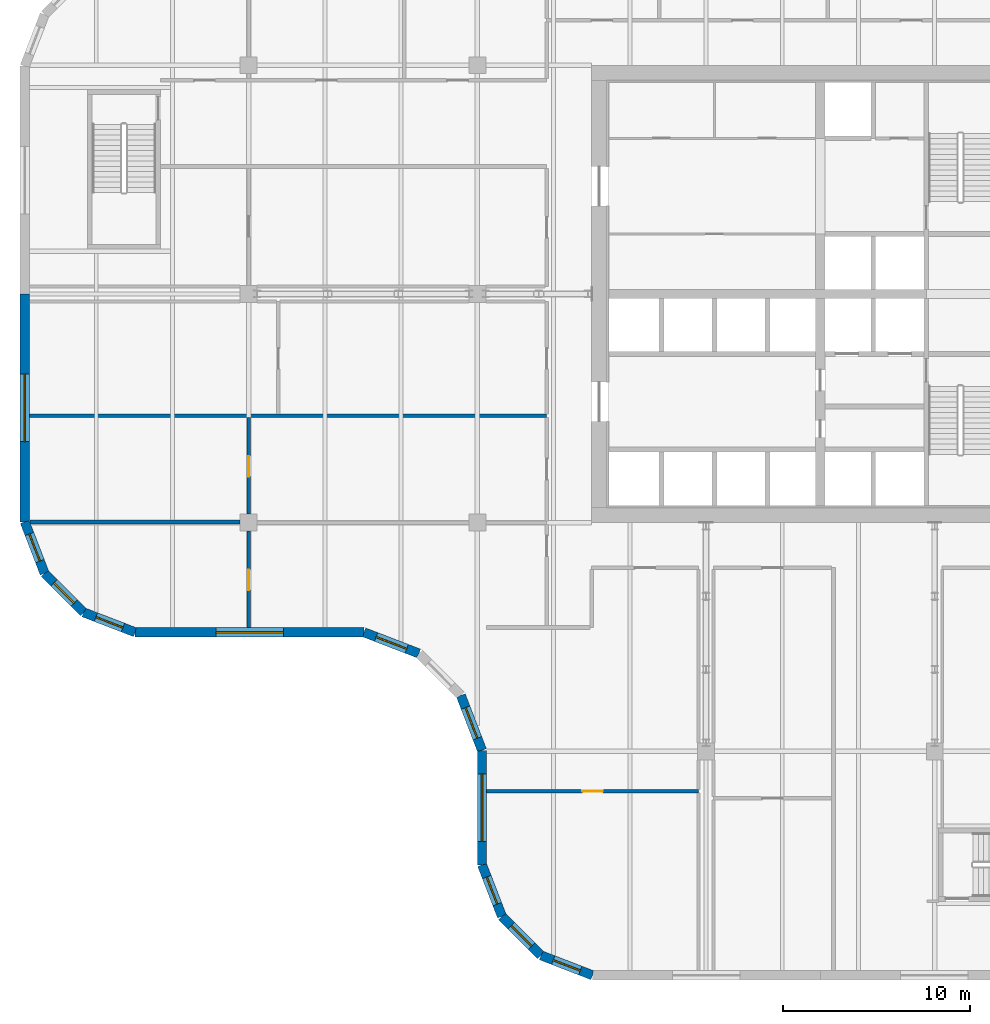
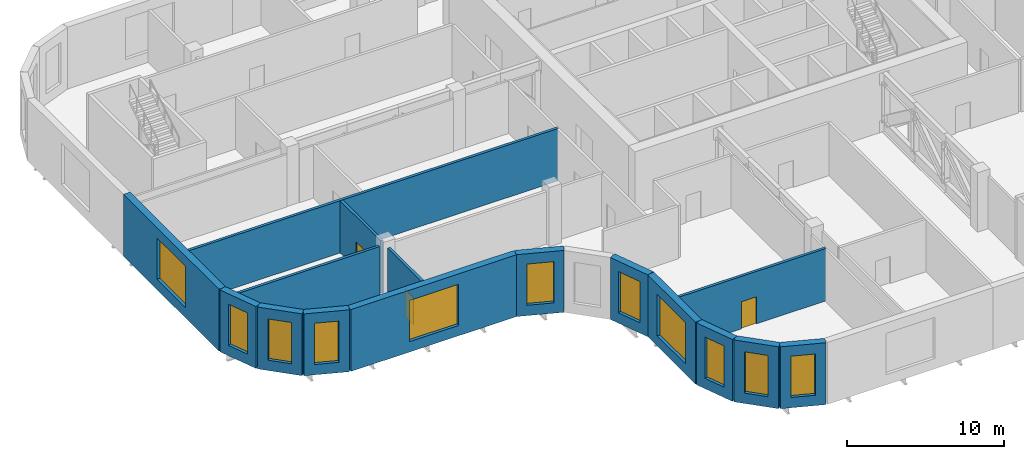
# One storey, part 8 of 21: 16 walls, 11 windows, 3 doors, 14 openings.
"""IFC4 building model written with IfcOpenShell, lengths in metres."""

from ifc_helpers import new_model, si_unit, direction, frame, frame_2d, origin, place, context, subcontext, project, spatial, polyline, rectangle, outline, extrude, faceted_brep, source, transform, mapped, material, layer, layer_set, type_object, element, fill, save


model = new_model("IFC4")

# Units and contexts
model_context = context("Model", 3, precision=1e-05, world=origin(), true_north=direction((0.0, 1.0)))
body_context = subcontext(model_context, "Body", "Model", "MODEL_VIEW")
ifc_project = project(units=[si_unit("LENGTHUNIT", "METRE"), si_unit("AREAUNIT", "SQUARE_METRE"), si_unit("VOLUMEUNIT", "CUBIC_METRE"), si_unit("PLANEANGLEUNIT", "RADIAN"), si_unit("MASSUNIT", "GRAM", prefix="KILO")], contexts=[model_context])

# Site, building, storey
site_placement = place(None, origin())
site = spatial("IfcSite", under=ifc_project, at=site_placement, CompositionType="ELEMENT")
building_placement = place(site_placement, origin())
building = spatial("IfcBuilding", under=site, at=building_placement, Name="Tessera Gate Towers", CompositionType="ELEMENT")
storey_placement = place(building_placement, frame((0.0, 0.0, 63.800048828125)))
storey = spatial("IfcBuildingStorey", under=building, at=storey_placement, Name="L15", CompositionType="ELEMENT", Elevation=63.800048828125)

# Wall, opening, door
ifc_material_1 = material(Name="Concrete masonry unit", Category="masonry")
ifc_layer_1 = layer(ifc_material_1, 0.199951171875)
ifc_layer_set_1 = layer_set([ifc_layer_1], Name="PLANT WALL 200")
wall_type_1 = type_object("IfcWallType", Name="PLANT WALL 200", PredefinedType="PARTITIONING", material=ifc_layer_set_1)
wall_1_placement = place(storey_placement, frame((36.199951171875, 10.074951171875, 0.0), z_axis=(0.0, 0.0, 1.0), x_axis=(-1.0, 0.0, 0.0)))
wall_1 = element("IfcWall", 1, at=wall_1_placement, inside=storey, type_object=wall_type_1, Name="T1-L15-PW-008", PredefinedType="PARTITIONING", context=body_context, shape_type="SweptSolid", body=[
    extrude(rectangle(XDim=11.300048828125, YDim=0.199951171875, at=frame_2d((5.64990234375, 0.0))), origin(), (0.0, 0.0, 1.0), 4.06689453125),
])
shared_shape_1 = source(origin(), body_context, "Body", "SweptSolid", [
    extrude(rectangle(XDim=1.10009765625, YDim=2.10009765625, at=frame_2d((0.550048828125, 1.050048828125))), frame((0.0, 0.10986328125, 0.0), z_axis=(0.0, -1.0, 0.0), x_axis=(1.0, 0.0, 0.0)), (0.0, 0.0, 1.0), 0.219970703125),
])
opening_1_placement = place(wall_1_placement, frame((5.10009765625, 0.0, 0.0)))
opening_1 = element("IfcOpeningElement", 2, at=opening_1_placement, cuts=wall_1, Name="Opening D5110FD90-A30-21", PredefinedType="OPENING", context=body_context, shape_type="MappedRepresentation", body=[
    mapped(shared_shape_1, transform((0.0, 0.0, 0.0), scale=1.0)),
])
ifc_material_2 = material(Name="Timber door leaf in steel frame", Category="steel")
door_type = type_object("IfcDoorType", Name="PLANT DOOR 1100 FD90", OperationType="NOTDEFINED", PredefinedType="DOOR", material=ifc_material_2)
shared_shape_2 = source(origin(), body_context, "Body", "SweptSolid", [
    extrude(rectangle(XDim=1.10009765625, YDim=2.10009765625, at=frame_2d((0.550048828125, 1.050048828125))), frame((0.0, 0.02490234375, 0.0), z_axis=(0.0, -1.0, 0.0), x_axis=(1.0, 0.0, 0.0)), (0.0, 0.0, 1.0), 0.050048828125),
])
door_1_placement = place(opening_1_placement, origin())
door_1 = element("IfcDoor", 3, at=door_1_placement, inside=storey, type_object=door_type, Name="T1-L15-PD-021", OperationType="SINGLE_SWING_RIGHT", OverallHeight=2.10009765625, OverallWidth=1.10009765625, PredefinedType="DOOR", context=body_context, shape_type="MappedRepresentation", body=[
    mapped(shared_shape_2, transform((0.0, 0.0, 0.0), scale=1.0)),
])
fill(opening_1, door_1)

wall_2_placement = place(storey_placement, frame((12.199951171875, 18.800048828125, 0.0), z_axis=(0.0, 0.0, 1.0), x_axis=(0.0, 1.0, 0.0)))
wall_2 = element("IfcWall", 4, at=wall_2_placement, inside=storey, type_object=wall_type_1, Name="T1-L15-PW-013", PredefinedType="PARTITIONING", context=body_context, shape_type="SweptSolid", body=[
    extrude(rectangle(XDim=5.14892578125, YDim=0.199951171875, at=frame_2d((2.574462890625, 0.0))), origin(), (0.0, 0.0, 1.0), 4.06689453125),
])
opening_2_placement = place(wall_2_placement, frame((2.0, 0.0, 0.0)))
opening_2 = element("IfcOpeningElement", 5, at=opening_2_placement, cuts=wall_2, Name="Opening D5110FD90-A30-04", PredefinedType="OPENING", context=body_context, shape_type="MappedRepresentation", body=[
    mapped(shared_shape_1, transform((0.0, 0.0, 0.0), scale=1.0)),
])
door_2_placement = place(opening_2_placement, origin())
door_2 = element("IfcDoor", 6, at=door_2_placement, inside=storey, type_object=door_type, Name="T1-L15-PD-004", OperationType="SINGLE_SWING_LEFT", OverallHeight=2.10009765625, OverallWidth=1.10009765625, PredefinedType="DOOR", context=body_context, shape_type="MappedRepresentation", body=[
    mapped(shared_shape_2, transform((0.0, 0.0, 0.0), scale=1.0)),
])
fill(opening_2, door_2)

# Wall
wall_3_placement = place(storey_placement, frame((0.535888671875, 24.43994140625, 0.0), z_axis=(0.0, 0.0, 1.0), x_axis=(1.0, 0.0, 0.0)))
element("IfcWall", 7, at=wall_3_placement, inside=storey, type_object=wall_type_1, Name="T1-L15-PW-022", PredefinedType="PARTITIONING", context=body_context, shape_type="SweptSolid", body=[
    extrude(rectangle(XDim=11.213134765625, YDim=0.199951171875, at=frame_2d((5.6064453125, 0.0))), origin(), (0.0, 0.0, 1.0), 4.06689453125),
])

# Wall, opening, door
wall_4_placement = place(storey_placement, frame((12.199951171875, 24.85107421875, 0.0), z_axis=(0.0, 0.0, 1.0), x_axis=(0.0, 1.0, 0.0)))
wall_4 = element("IfcWall", 8, at=wall_4_placement, inside=storey, type_object=wall_type_1, Name="T1-L15-PW-026", PredefinedType="PARTITIONING", context=body_context, shape_type="SweptSolid", body=[
    extrude(rectangle(XDim=5.14794921875, YDim=0.199951171875, at=frame_2d((2.573974609375, 0.0))), origin(), (0.0, 0.0, 1.0), 4.06689453125),
])
opening_3_placement = place(wall_4_placement, frame((2.0, 0.0, 0.0)))
opening_3 = element("IfcOpeningElement", 9, at=opening_3_placement, cuts=wall_4, Name="Opening D5110FD90-A30-03", PredefinedType="OPENING", context=body_context, shape_type="MappedRepresentation", body=[
    mapped(shared_shape_1, transform((0.0, 0.0, 0.0), scale=1.0)),
])
door_3_placement = place(opening_3_placement, origin())
door_3 = element("IfcDoor", 10, at=door_3_placement, inside=storey, type_object=door_type, Name="T1-L15-PD-003", OperationType="SINGLE_SWING_LEFT", OverallHeight=2.10009765625, OverallWidth=1.10009765625, PredefinedType="DOOR", context=body_context, shape_type="MappedRepresentation", body=[
    mapped(shared_shape_2, transform((0.0, 0.0, 0.0), scale=1.0)),
])
fill(opening_3, door_3)

# Wall
wall_5_placement = place(storey_placement, frame((0.5, 30.10009765625, 0.0), z_axis=(0.0, 0.0, 1.0), x_axis=(1.0, 0.0, 0.0)))
element("IfcWall", 11, at=wall_5_placement, inside=storey, type_object=wall_type_1, Name="T1-L15-PW-027", PredefinedType="PARTITIONING", context=body_context, shape_type="SweptSolid", body=[
    extrude(rectangle(XDim=27.60009765625, YDim=0.199951171875, at=frame_2d((13.800048828125, 0.0))), origin(), (0.0, 0.0, 1.0), 4.06689453125),
])

# Wall, opening, window
ifc_material_3 = material(Name="Precast concrete C60/75 white", Category="concrete")
ifc_layer_2 = layer(ifc_material_3, 0.5)
ifc_layer_set_2 = layer_set([ifc_layer_2], Name="RB1 ring band panel")
wall_type_2 = type_object("IfcWallType", Name="RB1 ring band panel", PredefinedType="SOLIDWALL", material=ifc_layer_set_2)
shared_shape_3 = source(origin(), body_context, "Body", "Brep", [
    faceted_brep([(0.0, -0.25, 0.0), (12.153564453125, -0.25, 0.0), (12.153564453125, -0.25, 4.800048828125), (0.0, -0.25, 4.800048828125), (0.0, 0.25, 4.800048828125), (12.10693359375, 0.25, 4.800048828125), (12.10693359375, 0.25, 0.0), (0.0, 0.25, 0.0), (12.153564453125, -0.00048828125, 0.0), (12.153564453125, -0.00048828125, 4.800048828125)], [[[0, 1, 2, 3]], [[4, 5, 6, 7]], [[7, 6, 8, 1, 0]], [[9, 2, 1, 8]], [[5, 4, 3, 2, 9]], [[4, 7, 0, 3]], [[8, 6, 5, 9]]]),
])
wall_6_placement = place(storey_placement, frame((0.25, 36.60009765625, 0.0), z_axis=(0.0, 0.0, 1.0), x_axis=(0.0, -1.0, 0.0)))
wall_6 = element("IfcWall", 12, at=wall_6_placement, inside=storey, type_object=wall_type_2, Name="Ring band panel T1 RB1-0021", PredefinedType="SOLIDWALL", context=body_context, shape_type="MappedRepresentation", body=[
    mapped(shared_shape_3, transform((0.0, 0.0, 0.0), scale=1.0)),
])
shared_shape_4 = source(origin(), body_context, "Body", "SweptSolid", [
    extrude(outline(polyline([(4.276611328125, 0.800048828125), (7.876708984375, 0.800048828125), (7.876708984375, 4.0), (4.276611328125, 4.0), (4.276611328125, 0.800048828125)])), frame((0.0, 0.260009765625, 0.0), z_axis=(0.0, -1.0, 0.0), x_axis=(1.0, 0.0, 0.0)), (0.0, 0.0, 1.0), 0.52001953125),
])
opening_4_placement = place(wall_6_placement, origin())
opening_4 = element("IfcOpeningElement", 13, at=opening_4_placement, cuts=wall_6, Name="Opening T1-WN-LV1-0021", PredefinedType="OPENING", context=body_context, shape_type="MappedRepresentation", body=[
    mapped(shared_shape_4, transform((0.0, 0.0, 0.0), scale=1.0)),
])
ifc_material_4 = material(Name="Aluminium louvre", Category="aluminium")
ifc_layer_3 = layer(ifc_material_4, 0.06005859375)
ifc_layer_set_3 = layer_set([ifc_layer_3], Name="LV1 louvre")
window_type = type_object("IfcWindowType", Name="LV1 louvre", PartitioningType="USERDEFINED", PredefinedType="WINDOW", material=ifc_layer_set_3)
shared_shape_5 = source(origin(), body_context, "Body", "SweptSolid", [
    extrude(outline(polyline([(4.276611328125, 0.800048828125), (7.876708984375, 0.800048828125), (7.876708984375, 4.0), (4.276611328125, 4.0), (4.276611328125, 0.800048828125)])), frame((0.0, 0.030029296875, 0.0), z_axis=(0.0, -1.0, 0.0), x_axis=(1.0, 0.0, 0.0)), (0.0, 0.0, 1.0), 0.06005859375),
])
window_1_placement = place(opening_4_placement, origin())
window_1 = element("IfcWindow", 14, at=window_1_placement, inside=storey, type_object=window_type, Name="Louvre T1 WN-LV1-0021", OverallHeight=3.199951171875, OverallWidth=3.60009765625, PartitioningType="USERDEFINED", PredefinedType="WINDOW", context=body_context, shape_type="MappedRepresentation", body=[
    mapped(shared_shape_5, transform((0.0, 0.0, 0.0), scale=1.0)),
])
fill(opening_4, window_1)

shared_shape_6 = source(origin(), body_context, "Body", "Brep", [
    faceted_brep([(0.0, -0.25, 0.0), (2.950439453125, -0.25, 0.0), (2.950439453125, -0.25, 4.800048828125), (0.0, -0.25, 4.800048828125), (0.046630859375, 0.25, 4.800048828125), (2.897705078125, 0.25, 4.800048828125), (2.897705078125, 0.25, 0.0), (0.046630859375, 0.25, 0.0), (2.950439453125, 0.00048828125, 0.0), (0.0, 0.0, 0.0), (2.950439453125, 0.00048828125, 4.800048828125), (0.0, 0.0, 4.800048828125)], [[[0, 1, 2, 3]], [[4, 5, 6, 7]], [[7, 6, 8, 1, 0, 9]], [[10, 2, 1, 8]], [[5, 4, 11, 3, 2, 10]], [[9, 0, 3, 11]], [[7, 9, 11, 4]], [[8, 6, 5, 10]]]),
])
wall_7_placement = place(storey_placement, frame((0.25, 24.446533203125, 0.0), z_axis=(0.0, 0.0, 1.0), x_axis=(0.359877213415, -0.932999673775, 0.0)))
wall_7 = element("IfcWall", 15, at=wall_7_placement, inside=storey, type_object=wall_type_2, Name="Ring band panel T1 RB1-0022", PredefinedType="SOLIDWALL", context=body_context, shape_type="MappedRepresentation", body=[
    mapped(shared_shape_6, transform((0.0, 0.0, 0.0), scale=1.0)),
])
shared_shape_7 = source(origin(), body_context, "Body", "SweptSolid", [
    extrude(outline(polyline([(0.699951171875, 0.800048828125), (2.25048828125, 0.800048828125), (2.25048828125, 4.0), (0.699951171875, 4.0), (0.699951171875, 0.800048828125)])), frame((0.0, 0.260009765625, 0.0), z_axis=(0.0, -1.0, 0.0), x_axis=(1.0, 0.0, 0.0)), (0.0, 0.0, 1.0), 0.52001953125),
])
opening_5_placement = place(wall_7_placement, origin())
opening_5 = element("IfcOpeningElement", 16, at=opening_5_placement, cuts=wall_7, Name="Opening T1-WN-LV1-0022", PredefinedType="OPENING", context=body_context, shape_type="MappedRepresentation", body=[
    mapped(shared_shape_7, transform((0.0, 0.0, 0.0), scale=1.0)),
])
shared_shape_8 = source(origin(), body_context, "Body", "SweptSolid", [
    extrude(outline(polyline([(0.699951171875, 0.800048828125), (2.25048828125, 0.800048828125), (2.25048828125, 4.0), (0.699951171875, 4.0), (0.699951171875, 0.800048828125)])), frame((0.0, 0.030029296875, 0.0), z_axis=(0.0, -1.0, 0.0), x_axis=(1.0, 0.0, 0.0)), (0.0, 0.0, 1.0), 0.06005859375),
])
window_2_placement = place(opening_5_placement, origin())
window_2 = element("IfcWindow", 17, at=window_2_placement, inside=storey, type_object=window_type, Name="Louvre T1 WN-LV1-0022", OverallHeight=3.199951171875, OverallWidth=1.550537109375, PartitioningType="USERDEFINED", PredefinedType="WINDOW", context=body_context, shape_type="MappedRepresentation", body=[
    mapped(shared_shape_8, transform((0.0, 0.0, 0.0), scale=1.0)),
])
fill(opening_5, window_2)

wall_8_placement = place(storey_placement, frame((24.64990234375, 6.146484375, 0.0), z_axis=(0.0, 0.0, 1.0), x_axis=(0.359949242603, -0.932971887438, 0.0)))
wall_8 = element("IfcWall", 18, at=wall_8_placement, inside=storey, type_object=wall_type_2, Name="Ring band panel T1 RB1-0030", PredefinedType="SOLIDWALL", context=body_context, shape_type="MappedRepresentation", body=[
    mapped(shared_shape_6, transform((0.0, 0.0, 0.0), scale=1.0)),
])
opening_6_placement = place(wall_8_placement, origin())
opening_6 = element("IfcOpeningElement", 19, at=opening_6_placement, cuts=wall_8, Name="Opening T1-WN-LV1-0030", PredefinedType="OPENING", context=body_context, shape_type="MappedRepresentation", body=[
    mapped(shared_shape_7, transform((0.0, 0.0, 0.0), scale=1.0)),
])
window_3_placement = place(opening_6_placement, origin())
window_3 = element("IfcWindow", 20, at=window_3_placement, inside=storey, type_object=window_type, Name="Louvre T1 WN-LV1-0030", OverallHeight=3.199951171875, OverallWidth=1.550537109375, PartitioningType="USERDEFINED", PredefinedType="WINDOW", context=body_context, shape_type="MappedRepresentation", body=[
    mapped(shared_shape_8, transform((0.0, 0.0, 0.0), scale=1.0)),
])
fill(opening_6, window_3)

shared_shape_9 = source(origin(), body_context, "Body", "Brep", [
    faceted_brep([(0.0, -0.25, 0.0), (2.944091796875, -0.25, 0.0), (2.944091796875, -0.25, 4.800048828125), (0.0, -0.25, 4.800048828125), (0.052978515625, 0.25, 4.800048828125), (2.89111328125, 0.25, 4.800048828125), (2.89111328125, 0.25, 0.0), (0.052978515625, 0.25, 0.0), (2.944091796875, 0.000244140625, 0.0), (0.0, 0.0, 0.0), (2.944091796875, 0.000244140625, 4.800048828125), (0.0, 0.0, 4.800048828125)], [[[0, 1, 2, 3]], [[4, 5, 6, 7]], [[7, 6, 8, 1, 0, 9]], [[10, 2, 1, 8]], [[5, 4, 11, 3, 2, 10]], [[9, 0, 3, 11]], [[7, 9, 11, 4]], [[8, 6, 5, 10]]]),
])
wall_9_placement = place(storey_placement, frame((1.31201171875, 21.69384765625, 0.0), z_axis=(0.0, 0.0, 1.0), x_axis=(0.707106781187, -0.707106781187, 0.0)))
wall_9 = element("IfcWall", 21, at=wall_9_placement, inside=storey, type_object=wall_type_2, Name="Ring band panel T1 RB1-0023", PredefinedType="SOLIDWALL", context=body_context, shape_type="MappedRepresentation", body=[
    mapped(shared_shape_9, transform((0.0, 0.0, 0.0), scale=1.0)),
])
shared_shape_10 = source(origin(), body_context, "Body", "SweptSolid", [
    extrude(outline(polyline([(0.699951171875, 0.800048828125), (2.244140625, 0.800048828125), (2.244140625, 4.0), (0.699951171875, 4.0), (0.699951171875, 0.800048828125)])), frame((0.0, 0.260009765625, 0.0), z_axis=(0.0, -1.0, 0.0), x_axis=(1.0, 0.0, 0.0)), (0.0, 0.0, 1.0), 0.52001953125),
])
opening_7_placement = place(wall_9_placement, origin())
opening_7 = element("IfcOpeningElement", 22, at=opening_7_placement, cuts=wall_9, Name="Opening T1-WN-LV1-0023", PredefinedType="OPENING", context=body_context, shape_type="MappedRepresentation", body=[
    mapped(shared_shape_10, transform((0.0, 0.0, 0.0), scale=1.0)),
])
shared_shape_11 = source(origin(), body_context, "Body", "SweptSolid", [
    extrude(outline(polyline([(0.699951171875, 0.800048828125), (2.244140625, 0.800048828125), (2.244140625, 4.0), (0.699951171875, 4.0), (0.699951171875, 0.800048828125)])), frame((0.0, 0.030029296875, 0.0), z_axis=(0.0, -1.0, 0.0), x_axis=(1.0, 0.0, 0.0)), (0.0, 0.0, 1.0), 0.06005859375),
])
window_4_placement = place(opening_7_placement, origin())
window_4 = element("IfcWindow", 23, at=window_4_placement, inside=storey, type_object=window_type, Name="Louvre T1 WN-LV1-0023", OverallHeight=3.199951171875, OverallWidth=1.544189453125, PartitioningType="USERDEFINED", PredefinedType="WINDOW", context=body_context, shape_type="MappedRepresentation", body=[
    mapped(shared_shape_11, transform((0.0, 0.0, 0.0), scale=1.0)),
])
fill(opening_7, window_4)

wall_10_placement = place(storey_placement, frame((25.7119140625, 3.393798828125, 0.0), z_axis=(0.0, 0.0, 1.0), x_axis=(0.707106781187, -0.707106781187, 0.0)))
wall_10 = element("IfcWall", 24, at=wall_10_placement, inside=storey, type_object=wall_type_2, Name="Ring band panel T1 RB1-0031", PredefinedType="SOLIDWALL", context=body_context, shape_type="MappedRepresentation", body=[
    mapped(shared_shape_9, transform((0.0, 0.0, 0.0), scale=1.0)),
])
opening_8_placement = place(wall_10_placement, origin())
opening_8 = element("IfcOpeningElement", 25, at=opening_8_placement, cuts=wall_10, Name="Opening T1-WN-LV1-0031", PredefinedType="OPENING", context=body_context, shape_type="MappedRepresentation", body=[
    mapped(shared_shape_10, transform((0.0, 0.0, 0.0), scale=1.0)),
])
window_5_placement = place(opening_8_placement, origin())
window_5 = element("IfcWindow", 26, at=window_5_placement, inside=storey, type_object=window_type, Name="Louvre T1 WN-LV1-0031", OverallHeight=3.199951171875, OverallWidth=1.544189453125, PartitioningType="USERDEFINED", PredefinedType="WINDOW", context=body_context, shape_type="MappedRepresentation", body=[
    mapped(shared_shape_11, transform((0.0, 0.0, 0.0), scale=1.0)),
])
fill(opening_8, window_5)

shared_shape_12 = source(origin(), body_context, "Body", "Brep", [
    faceted_brep([(0.0, -0.25, 0.0), (2.950439453125, -0.25, 0.0), (2.950439453125, -0.25, 4.800048828125), (0.0, -0.25, 4.800048828125), (0.052978515625, 0.25, 4.800048828125), (2.904052734375, 0.25, 4.800048828125), (2.904052734375, 0.25, 0.0), (0.052978515625, 0.25, 0.0), (2.950439453125, 0.00048828125, 0.0), (0.0, 0.0, 0.0), (2.950439453125, 0.00048828125, 4.800048828125), (0.0, 0.0, 4.800048828125)], [[[0, 1, 2, 3]], [[4, 5, 6, 7]], [[7, 6, 8, 1, 0, 9]], [[10, 2, 1, 8]], [[5, 4, 11, 3, 2, 10]], [[9, 0, 3, 11]], [[7, 9, 11, 4]], [[8, 6, 5, 10]]]),
])
wall_11_placement = place(storey_placement, frame((3.393798828125, 19.61181640625, 0.0), z_axis=(0.0, 0.0, 1.0), x_axis=(0.932999673775, -0.359877213415, 0.0)))
wall_11 = element("IfcWall", 27, at=wall_11_placement, inside=storey, type_object=wall_type_2, Name="Ring band panel T1 RB1-0024", PredefinedType="SOLIDWALL", context=body_context, shape_type="MappedRepresentation", body=[
    mapped(shared_shape_12, transform((0.0, 0.0, 0.0), scale=1.0)),
])
opening_9_placement = place(wall_11_placement, origin())
opening_9 = element("IfcOpeningElement", 28, at=opening_9_placement, cuts=wall_11, Name="Opening T1-WN-LV1-0024", PredefinedType="OPENING", context=body_context, shape_type="MappedRepresentation", body=[
    mapped(shared_shape_7, transform((0.0, 0.0, 0.0), scale=1.0)),
])
window_6_placement = place(opening_9_placement, origin())
window_6 = element("IfcWindow", 29, at=window_6_placement, inside=storey, type_object=window_type, Name="Louvre T1 WN-LV1-0024", OverallHeight=3.199951171875, OverallWidth=1.550537109375, PartitioningType="USERDEFINED", PredefinedType="WINDOW", context=body_context, shape_type="MappedRepresentation", body=[
    mapped(shared_shape_8, transform((0.0, 0.0, 0.0), scale=1.0)),
])
fill(opening_9, window_6)

wall_12_placement = place(storey_placement, frame((27.793701171875, 1.31201171875, 0.0), z_axis=(0.0, 0.0, 1.0), x_axis=(0.932971887438, -0.359949242603, 0.0)))
wall_12 = element("IfcWall", 30, at=wall_12_placement, inside=storey, type_object=wall_type_2, Name="Ring band panel T1 RB1-0032", PredefinedType="SOLIDWALL", context=body_context, shape_type="MappedRepresentation", body=[
    mapped(shared_shape_12, transform((0.0, 0.0, 0.0), scale=1.0)),
])
opening_10_placement = place(wall_12_placement, origin())
opening_10 = element("IfcOpeningElement", 31, at=opening_10_placement, cuts=wall_12, Name="Opening T1-WN-LV1-0032", PredefinedType="OPENING", context=body_context, shape_type="MappedRepresentation", body=[
    mapped(shared_shape_7, transform((0.0, 0.0, 0.0), scale=1.0)),
])
window_7_placement = place(opening_10_placement, origin())
window_7 = element("IfcWindow", 32, at=window_7_placement, inside=storey, type_object=window_type, Name="Louvre T1 WN-LV1-0032", OverallHeight=3.199951171875, OverallWidth=1.550537109375, PartitioningType="USERDEFINED", PredefinedType="WINDOW", context=body_context, shape_type="MappedRepresentation", body=[
    mapped(shared_shape_8, transform((0.0, 0.0, 0.0), scale=1.0)),
])
fill(opening_10, window_7)

shared_shape_13 = source(origin(), body_context, "Body", "Brep", [
    faceted_brep([(0.0, -0.25, 0.0), (12.153564453125, -0.25, 0.0), (12.153564453125, -0.25, 4.800048828125), (0.0, -0.25, 4.800048828125), (0.046630859375, 0.25, 4.800048828125), (12.199951171875, 0.25, 4.800048828125), (12.199951171875, 0.25, 0.0), (0.046630859375, 0.25, 0.0), (12.199951171875, -0.000244140625, 0.0), (0.0, 0.0, 0.0), (12.199951171875, -0.000244140625, 4.800048828125), (0.0, 0.0, 4.800048828125)], [[[0, 1, 2, 3]], [[4, 5, 6, 7]], [[7, 6, 8, 1, 0, 9]], [[6, 5, 10, 8]], [[5, 4, 11, 3, 2, 10]], [[9, 0, 3, 11]], [[7, 9, 11, 4]], [[1, 8, 10, 2]]]),
])
wall_13_placement = place(storey_placement, frame((6.146484375, 18.550048828125, 0.0), z_axis=(0.0, 0.0, 1.0), x_axis=(1.0, 0.0, 0.0)))
wall_13 = element("IfcWall", 33, at=wall_13_placement, inside=storey, type_object=wall_type_2, Name="Ring band panel T1 RB1-0025", PredefinedType="SOLIDWALL", context=body_context, shape_type="MappedRepresentation", body=[
    mapped(shared_shape_13, transform((0.0, 0.0, 0.0), scale=1.0)),
])
shared_shape_14 = source(origin(), body_context, "Body", "SweptSolid", [
    extrude(outline(polyline([(4.300048828125, 0.800048828125), (7.89990234375, 0.800048828125), (7.89990234375, 4.0), (4.300048828125, 4.0), (4.300048828125, 0.800048828125)])), frame((0.0, 0.260009765625, 0.0), z_axis=(0.0, -1.0, 0.0), x_axis=(1.0, 0.0, 0.0)), (0.0, 0.0, 1.0), 0.52001953125),
])
opening_11_placement = place(wall_13_placement, origin())
opening_11 = element("IfcOpeningElement", 34, at=opening_11_placement, cuts=wall_13, Name="Opening T1-WN-LV1-0025", PredefinedType="OPENING", context=body_context, shape_type="MappedRepresentation", body=[
    mapped(shared_shape_14, transform((0.0, 0.0, 0.0), scale=1.0)),
])
shared_shape_15 = source(origin(), body_context, "Body", "SweptSolid", [
    extrude(outline(polyline([(4.300048828125, 0.800048828125), (7.89990234375, 0.800048828125), (7.89990234375, 4.0), (4.300048828125, 4.0), (4.300048828125, 0.800048828125)])), frame((0.0, 0.030029296875, 0.0), z_axis=(0.0, -1.0, 0.0), x_axis=(1.0, 0.0, 0.0)), (0.0, 0.0, 1.0), 0.06005859375),
])
window_8_placement = place(opening_11_placement, origin())
window_8 = element("IfcWindow", 35, at=window_8_placement, inside=storey, type_object=window_type, Name="Louvre T1 WN-LV1-0025", OverallHeight=3.199951171875, OverallWidth=3.599853515625, PartitioningType="USERDEFINED", PredefinedType="WINDOW", context=body_context, shape_type="MappedRepresentation", body=[
    mapped(shared_shape_15, transform((0.0, 0.0, 0.0), scale=1.0)),
])
fill(opening_11, window_8)

shared_shape_16 = source(origin(), body_context, "Body", "Brep", [
    faceted_brep([(0.046630859375, -0.25, 0.0), (3.096435546875, -0.25, 0.0), (3.096435546875, -0.25, 4.800048828125), (0.046630859375, -0.25, 4.800048828125), (0.0, 0.25, 4.800048828125), (3.1494140625, 0.25, 4.800048828125), (3.1494140625, 0.25, 0.0), (0.0, 0.25, 0.0), (3.1494140625, -0.000244140625, 0.0), (0.0, 0.0, 0.0), (3.1494140625, -0.000244140625, 4.800048828125), (0.0, 0.0, 4.800048828125)], [[[0, 1, 2, 3]], [[4, 5, 6, 7]], [[7, 6, 8, 1, 0, 9]], [[6, 5, 10, 8]], [[5, 4, 11, 3, 2, 10]], [[4, 7, 9, 11]], [[9, 0, 3, 11]], [[1, 8, 10, 2]]]),
])
wall_14_placement = place(storey_placement, frame((18.346435546875, 18.550048828125, 0.0), z_axis=(0.0, 0.0, 1.0), x_axis=(0.932987528699, -0.35990869855, 0.0)))
wall_14 = element("IfcWall", 36, at=wall_14_placement, inside=storey, type_object=wall_type_2, Name="Ring band panel T1 RB1-0026", PredefinedType="SOLIDWALL", context=body_context, shape_type="MappedRepresentation", body=[
    mapped(shared_shape_16, transform((0.0, 0.0, 0.0), scale=1.0)),
])
shared_shape_17 = source(origin(), body_context, "Body", "SweptSolid", [
    extrude(outline(polyline([(0.699951171875, 0.800048828125), (2.449462890625, 0.800048828125), (2.449462890625, 4.0), (0.699951171875, 4.0), (0.699951171875, 0.800048828125)])), frame((0.0, 0.260009765625, 0.0), z_axis=(0.0, -1.0, 0.0), x_axis=(1.0, 0.0, 0.0)), (0.0, 0.0, 1.0), 0.52001953125),
])
opening_12_placement = place(wall_14_placement, origin())
opening_12 = element("IfcOpeningElement", 37, at=opening_12_placement, cuts=wall_14, Name="Opening T1-WN-LV1-0026", PredefinedType="OPENING", context=body_context, shape_type="MappedRepresentation", body=[
    mapped(shared_shape_17, transform((0.0, 0.0, 0.0), scale=1.0)),
])
shared_shape_18 = source(origin(), body_context, "Body", "SweptSolid", [
    extrude(outline(polyline([(0.699951171875, 0.800048828125), (2.449462890625, 0.800048828125), (2.449462890625, 4.0), (0.699951171875, 4.0), (0.699951171875, 0.800048828125)])), frame((0.0, 0.030029296875, 0.0), z_axis=(0.0, -1.0, 0.0), x_axis=(1.0, 0.0, 0.0)), (0.0, 0.0, 1.0), 0.06005859375),
])
window_9_placement = place(opening_12_placement, origin())
window_9 = element("IfcWindow", 38, at=window_9_placement, inside=storey, type_object=window_type, Name="Louvre T1 WN-LV1-0026", OverallHeight=3.199951171875, OverallWidth=1.74951171875, PartitioningType="USERDEFINED", PredefinedType="WINDOW", context=body_context, shape_type="MappedRepresentation", body=[
    mapped(shared_shape_18, transform((0.0, 0.0, 0.0), scale=1.0)),
])
fill(opening_12, window_9)

shared_shape_19 = source(origin(), body_context, "Body", "Brep", [
    faceted_brep([(0.052978515625, -0.25, 0.0), (3.10302734375, -0.25, 0.0), (3.10302734375, -0.25, 4.800048828125), (0.052978515625, -0.25, 4.800048828125), (0.0, 0.25, 4.800048828125), (3.1494140625, 0.25, 4.800048828125), (3.1494140625, 0.25, 0.0), (0.0, 0.25, 0.0), (3.1494140625, -0.000244140625, 0.0), (0.0, 0.0, 0.0), (3.1494140625, -0.000244140625, 4.800048828125), (0.0, 0.0, 4.800048828125)], [[[0, 1, 2, 3]], [[4, 5, 6, 7]], [[7, 6, 8, 1, 0, 9]], [[6, 5, 10, 8]], [[5, 4, 11, 3, 2, 10]], [[4, 7, 9, 11]], [[9, 0, 3, 11]], [[1, 8, 10, 2]]]),
])
wall_15_placement = place(storey_placement, frame((23.5166015625, 15.18505859375, 0.0), z_axis=(0.0, 0.0, 1.0), x_axis=(0.359841220347, -0.933013556246, 0.0)))
wall_15 = element("IfcWall", 39, at=wall_15_placement, inside=storey, type_object=wall_type_2, Name="Ring band panel T1 RB1-0028", PredefinedType="SOLIDWALL", context=body_context, shape_type="MappedRepresentation", body=[
    mapped(shared_shape_19, transform((0.0, 0.0, 0.0), scale=1.0)),
])
opening_13_placement = place(wall_15_placement, origin())
opening_13 = element("IfcOpeningElement", 40, at=opening_13_placement, cuts=wall_15, Name="Opening T1-WN-LV1-0028", PredefinedType="OPENING", context=body_context, shape_type="MappedRepresentation", body=[
    mapped(shared_shape_17, transform((0.0, 0.0, 0.0), scale=1.0)),
])
window_10_placement = place(opening_13_placement, origin())
window_10 = element("IfcWindow", 41, at=window_10_placement, inside=storey, type_object=window_type, Name="Louvre T1 WN-LV1-0028", OverallHeight=3.199951171875, OverallWidth=1.74951171875, PartitioningType="USERDEFINED", PredefinedType="WINDOW", context=body_context, shape_type="MappedRepresentation", body=[
    mapped(shared_shape_18, transform((0.0, 0.0, 0.0), scale=1.0)),
])
fill(opening_13, window_10)

shared_shape_20 = source(origin(), body_context, "Body", "Brep", [
    faceted_brep([(0.046630859375, -0.25, 0.0), (6.10009765625, -0.25, 0.0), (6.10009765625, -0.25, 4.800048828125), (0.046630859375, -0.25, 4.800048828125), (0.0, 0.25, 4.800048828125), (6.053466796875, 0.25, 4.800048828125), (6.053466796875, 0.25, 0.0), (0.0, 0.25, 0.0), (6.10009765625, -0.00048828125, 0.0), (0.0, 0.0, 0.0), (6.10009765625, -0.00048828125, 4.800048828125), (0.0, 0.0, 4.800048828125)], [[[0, 1, 2, 3]], [[4, 5, 6, 7]], [[7, 6, 8, 1, 0, 9]], [[10, 2, 1, 8]], [[5, 4, 11, 3, 2, 10]], [[4, 7, 9, 11]], [[9, 0, 3, 11]], [[8, 6, 5, 10]]]),
])
wall_16_placement = place(storey_placement, frame((24.64990234375, 12.24658203125, 0.0), z_axis=(0.0, 0.0, 1.0), x_axis=(0.0, -1.0, 0.0)))
wall_16 = element("IfcWall", 42, at=wall_16_placement, inside=storey, type_object=wall_type_2, Name="Ring band panel T1 RB1-0029", PredefinedType="SOLIDWALL", context=body_context, shape_type="MappedRepresentation", body=[
    mapped(shared_shape_20, transform((0.0, 0.0, 0.0), scale=1.0)),
])
shared_shape_21 = source(origin(), body_context, "Body", "SweptSolid", [
    extrude(outline(polyline([(1.25, 0.800048828125), (4.85009765625, 0.800048828125), (4.85009765625, 4.0), (1.25, 4.0), (1.25, 0.800048828125)])), frame((0.0, 0.260009765625, 0.0), z_axis=(0.0, -1.0, 0.0), x_axis=(1.0, 0.0, 0.0)), (0.0, 0.0, 1.0), 0.52001953125),
])
opening_14_placement = place(wall_16_placement, origin())
opening_14 = element("IfcOpeningElement", 43, at=opening_14_placement, cuts=wall_16, Name="Opening T1-WN-LV1-0029", PredefinedType="OPENING", context=body_context, shape_type="MappedRepresentation", body=[
    mapped(shared_shape_21, transform((0.0, 0.0, 0.0), scale=1.0)),
])
shared_shape_22 = source(origin(), body_context, "Body", "SweptSolid", [
    extrude(outline(polyline([(1.25, 0.800048828125), (4.85009765625, 0.800048828125), (4.85009765625, 4.0), (1.25, 4.0), (1.25, 0.800048828125)])), frame((0.0, 0.030029296875, 0.0), z_axis=(0.0, -1.0, 0.0), x_axis=(1.0, 0.0, 0.0)), (0.0, 0.0, 1.0), 0.06005859375),
])
window_11_placement = place(opening_14_placement, origin())
window_11 = element("IfcWindow", 44, at=window_11_placement, inside=storey, type_object=window_type, Name="Louvre T1 WN-LV1-0029", OverallHeight=3.199951171875, OverallWidth=3.60009765625, PartitioningType="USERDEFINED", PredefinedType="WINDOW", context=body_context, shape_type="MappedRepresentation", body=[
    mapped(shared_shape_22, transform((0.0, 0.0, 0.0), scale=1.0)),
])
fill(opening_14, window_11)

save(model, "model.ifc")
